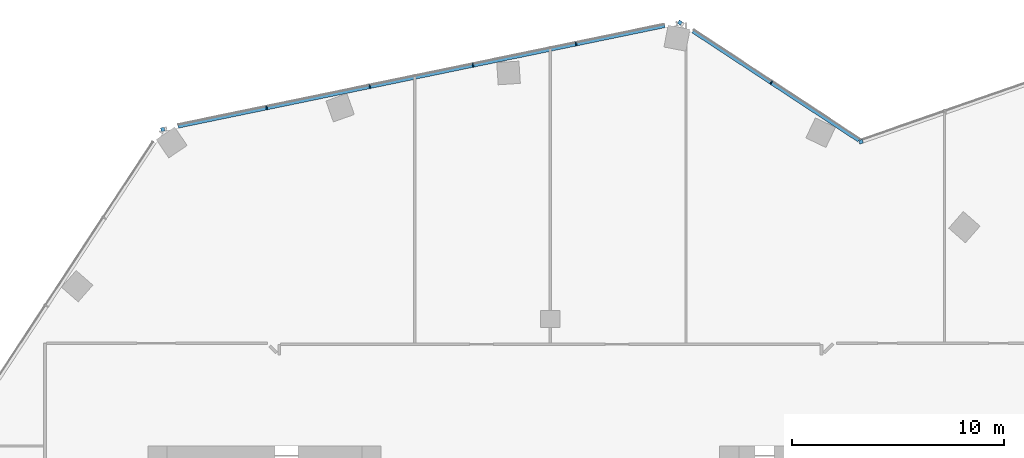
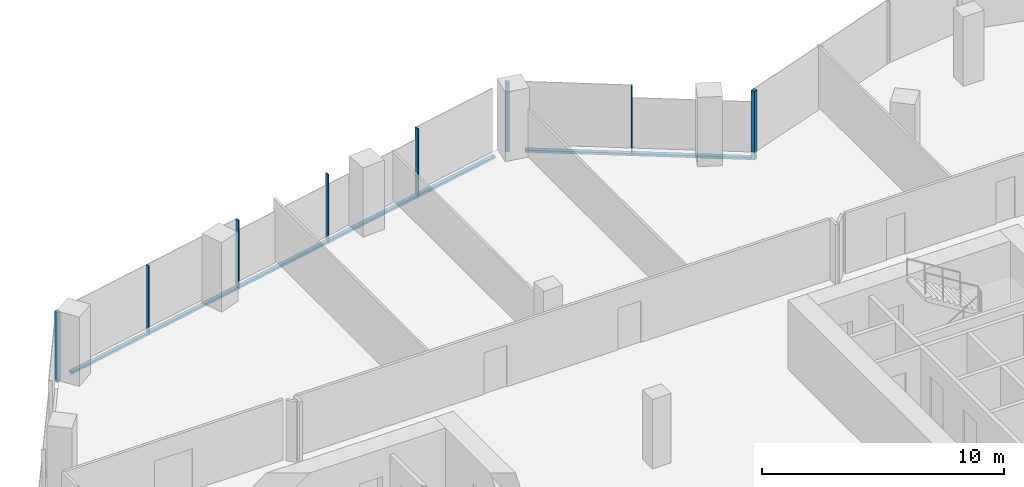
# One storey, part 10 of 24: 10 members, 3 elements without a shape of their own.
"""IFC4 building model written with IfcOpenShell, lengths in metres."""

from ifc_helpers import new_model, si_unit, direction, frame, origin, origin_2d, place, context, subcontext, project, spatial, rectangle, extrude, material, material_profile, profile_set, type_object, element, aggregate, save


model = new_model("IFC4")

# Units and contexts
model_context = context("Model", 3, precision=1e-05, world=origin(), true_north=direction((0.0, 1.0)))
body_context = subcontext(model_context, "Body", "Model", "MODEL_VIEW")
ifc_project = project(units=[si_unit("LENGTHUNIT", "METRE"), si_unit("AREAUNIT", "SQUARE_METRE"), si_unit("VOLUMEUNIT", "CUBIC_METRE"), si_unit("PLANEANGLEUNIT", "RADIAN"), si_unit("MASSUNIT", "GRAM", prefix="KILO")], contexts=[model_context])

# Site, building, storey
site_placement = place(None, origin())
site = spatial("IfcSite", under=ifc_project, at=site_placement, CompositionType="ELEMENT")
building_placement = place(site_placement, origin())
building = spatial("IfcBuilding", under=site, at=building_placement, Name="Orlundy Tower", CompositionType="ELEMENT")
storey_placement = place(building_placement, frame((0.0, 0.0, 246.0)))
storey = spatial("IfcBuildingStorey", under=building, at=storey_placement, Name="L65", CompositionType="ELEMENT", Elevation=246.0)

# Curtain wall, member
ifc_material_1 = material(Name="Aluminium bronze anodised", Category="aluminium")
curtain_wall_type = type_object("IfcCurtainWallType", Name="CW1 wall", PredefinedType="NOTDEFINED", material=ifc_material_1)
curtain_wall_1_placement = place(storey_placement, origin())
curtain_wall_1 = element("IfcCurtainWall", 1, at=curtain_wall_1_placement, inside=storey, type_object=curtain_wall_type, Name="CW1 run 016", PredefinedType="NOTDEFINED")
ifc_material_2 = material(Name="Aluminium bronze anodised", Category="aluminium")
ifc_material_profile_1 = material_profile(ifc_material_2, rectangle(XDim=0.179931640625, YDim=0.179931640625, at=origin_2d()), Name="CW1 corner post 180x180")
ifc_profile_set_1 = profile_set([ifc_material_profile_1], Name="Aluminium bronze anodised")
member_type_1 = type_object("IfcMemberType", Name="CW1 corner post 180x180", PredefinedType="MULLION", material=ifc_profile_set_1)
member_1_placement = place(storey_placement, frame((-18.290771484375, 26.947509765625, -0.39990234375), z_axis=(0.0, 0.0, 1.0), x_axis=(-0.202233038095, 0.979337428215, 0.0)))
member_1 = element("IfcMember", 2, at=member_1_placement, type_object=member_type_1, Name="CW1 mullion 32", PredefinedType="MULLION", context=body_context, shape_type="SweptSolid", body=[
    extrude(rectangle(XDim=0.179931640625, YDim=0.179931640625, at=origin_2d()), origin(), (0.0, 0.0, 1.0), 3.47998046875),
])

curtain_wall_2_placement = place(storey_placement, origin())
curtain_wall_2 = element("IfcCurtainWall", 3, at=curtain_wall_2_placement, inside=storey, type_object=curtain_wall_type, Name="CW1 run 017", PredefinedType="NOTDEFINED")
member_2_placement = place(storey_placement, frame((6.121337890625, 31.98876953125, -0.39990234375), z_axis=(0.0, 0.0, 1.0), x_axis=(0.549481934574, 0.835505597573, 0.0)))
member_2 = element("IfcMember", 4, at=member_2_placement, type_object=member_type_1, Name="CW1 mullion 37", PredefinedType="MULLION", context=body_context, shape_type="SweptSolid", body=[
    extrude(rectangle(XDim=0.179931640625, YDim=0.179931640625, at=origin_2d()), origin(), (0.0, 0.0, 1.0), 3.47998046875),
])

curtain_wall_3_placement = place(storey_placement, origin())
curtain_wall_3 = element("IfcCurtainWall", 5, at=curtain_wall_3_placement, inside=storey, type_object=curtain_wall_type, Name="CW1 run 018", PredefinedType="NOTDEFINED")
member_3_placement = place(storey_placement, frame((14.66845703125, 26.36767578125, -0.39990234375), z_axis=(0.0, 0.0, 1.0), x_axis=(-0.328297862498, 0.94457424985, 0.0)))
member_3 = element("IfcMember", 6, at=member_3_placement, type_object=member_type_1, Name="CW1 mullion 39", PredefinedType="MULLION", context=body_context, shape_type="SweptSolid", body=[
    extrude(rectangle(XDim=0.179931640625, YDim=0.179931640625, at=origin_2d()), origin(), (0.0, 0.0, 1.0), 3.47998046875),
])
aggregate(curtain_wall_3, [member_3])

# Member
ifc_material_3 = material(Name="Aluminium bronze anodised", Category="aluminium")
ifc_material_profile_2 = material_profile(ifc_material_3, rectangle(XDim=0.179931640625, YDim=0.050048828125, at=origin_2d()), Name="CW1 mullion 50x180")
ifc_profile_set_2 = profile_set([ifc_material_profile_2], Name="Aluminium bronze anodised")
member_type_2 = type_object("IfcMemberType", Name="CW1 mullion 50x180", PredefinedType="MULLION", material=ifc_profile_set_2)
member_4_placement = place(storey_placement, frame((-13.386474609375, 27.96044921875, -0.39990234375), z_axis=(0.0, 0.0, 1.0), x_axis=(-0.202233038095, 0.979337428215, 0.0)))
member_4 = element("IfcMember", 7, at=member_4_placement, type_object=member_type_2, Name="CW1 mullion 33", PredefinedType="MULLION", context=body_context, shape_type="SweptSolid", body=[
    extrude(rectangle(XDim=0.179931640625, YDim=0.050048828125, at=origin_2d()), origin(), (0.0, 0.0, 1.0), 3.47998046875),
])

member_5_placement = place(storey_placement, frame((-8.5185546875, 28.965576171875, -0.39990234375), z_axis=(0.0, 0.0, 1.0), x_axis=(-0.202233038095, 0.979337428215, 0.0)))
member_5 = element("IfcMember", 8, at=member_5_placement, type_object=member_type_2, Name="CW1 mullion 34", PredefinedType="MULLION", context=body_context, shape_type="SweptSolid", body=[
    extrude(rectangle(XDim=0.179931640625, YDim=0.050048828125, at=origin_2d()), origin(), (0.0, 0.0, 1.0), 3.47998046875),
])

member_6_placement = place(storey_placement, frame((-3.65087890625, 29.970703125, -0.39990234375), z_axis=(0.0, 0.0, 1.0), x_axis=(-0.202233038095, 0.979337428215, 0.0)))
member_6 = element("IfcMember", 9, at=member_6_placement, type_object=member_type_2, Name="CW1 mullion 35", PredefinedType="MULLION", context=body_context, shape_type="SweptSolid", body=[
    extrude(rectangle(XDim=0.179931640625, YDim=0.050048828125, at=origin_2d()), origin(), (0.0, 0.0, 1.0), 3.47998046875),
])

member_7_placement = place(storey_placement, frame((1.217041015625, 30.975830078125, -0.39990234375), z_axis=(0.0, 0.0, 1.0), x_axis=(-0.202233038095, 0.979337428215, 0.0)))
member_7 = element("IfcMember", 10, at=member_7_placement, type_object=member_type_2, Name="CW1 mullion 36", PredefinedType="MULLION", context=body_context, shape_type="SweptSolid", body=[
    extrude(rectangle(XDim=0.179931640625, YDim=0.050048828125, at=origin_2d()), origin(), (0.0, 0.0, 1.0), 3.47998046875),
])

member_8_placement = place(storey_placement, frame((10.428955078125, 29.15576171875, -0.39990234375), z_axis=(0.0, 0.0, 1.0), x_axis=(0.549481934574, 0.835505597573, 0.0)))
member_8 = element("IfcMember", 11, at=member_8_placement, type_object=member_type_2, Name="CW1 mullion 38", PredefinedType="MULLION", context=body_context, shape_type="SweptSolid", body=[
    extrude(rectangle(XDim=0.179931640625, YDim=0.050048828125, at=origin_2d()), origin(), (0.0, 0.0, 1.0), 3.47998046875),
])

ifc_material_4 = material(Name="Aluminium bronze anodised", Category="aluminium")
ifc_material_profile_3 = material_profile(ifc_material_4, rectangle(XDim=0.179931640625, YDim=0.1201171875, at=origin_2d()), Name="CW1 transom 180x120")
ifc_profile_set_3 = profile_set([ifc_material_profile_3], Name="Aluminium bronze anodised")
member_type_3 = type_object("IfcMemberType", Name="CW1 transom 180x120", PredefinedType="USERDEFINED", material=ifc_profile_set_3)
member_9_placement = place(storey_placement, frame((-17.57470703125, 27.095458984375, -0.340087890625), z_axis=(0.979336229875, 0.202238841113, 0.0), x_axis=(-0.202238841113, 0.979336229875, 0.0)))
member_9 = element("IfcMember", 12, at=member_9_placement, type_object=member_type_3, Name="CW1 transom", ObjectType="TRANSOM", PredefinedType="USERDEFINED", context=body_context, shape_type="SweptSolid", body=[
    extrude(rectangle(XDim=0.179931640625, YDim=0.1201171875, at=origin_2d()), origin(), (0.0, 0.0, 1.0), 23.46533203125),
])

aggregate(curtain_wall_1, [member_1, member_4, member_5, member_6, member_7, member_9])

member_10_placement = place(storey_placement, frame((6.731689453125, 31.587158203125, -0.340087890625), z_axis=(0.835507591398, -0.549478902886, 0.0), x_axis=(0.549478902886, 0.835507591398, 0.0)))
member_10 = element("IfcMember", 13, at=member_10_placement, type_object=member_type_3, Name="CW1 transom", ObjectType="TRANSOM", PredefinedType="USERDEFINED", context=body_context, shape_type="SweptSolid", body=[
    extrude(rectangle(XDim=0.179931640625, YDim=0.1201171875, at=origin_2d()), origin(), (0.0, 0.0, 1.0), 9.3857421875),
])

aggregate(curtain_wall_2, [member_2, member_8, member_10])

save(model, "model.ifc")
